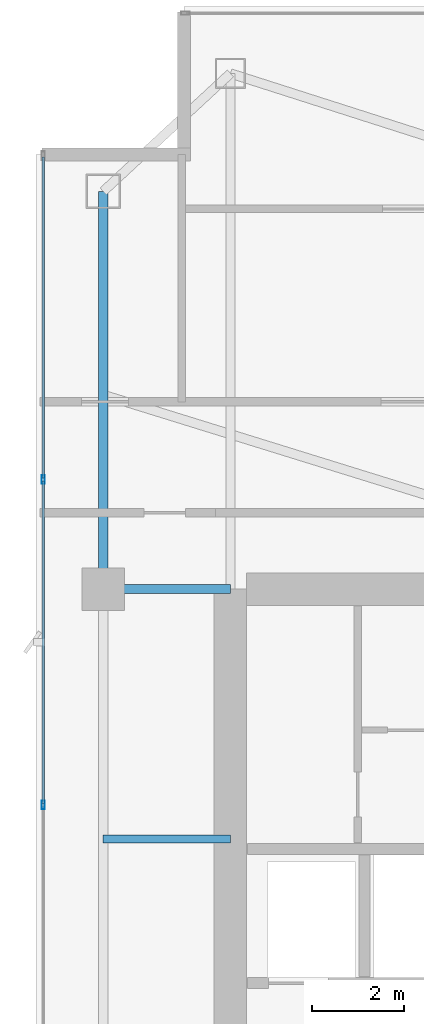
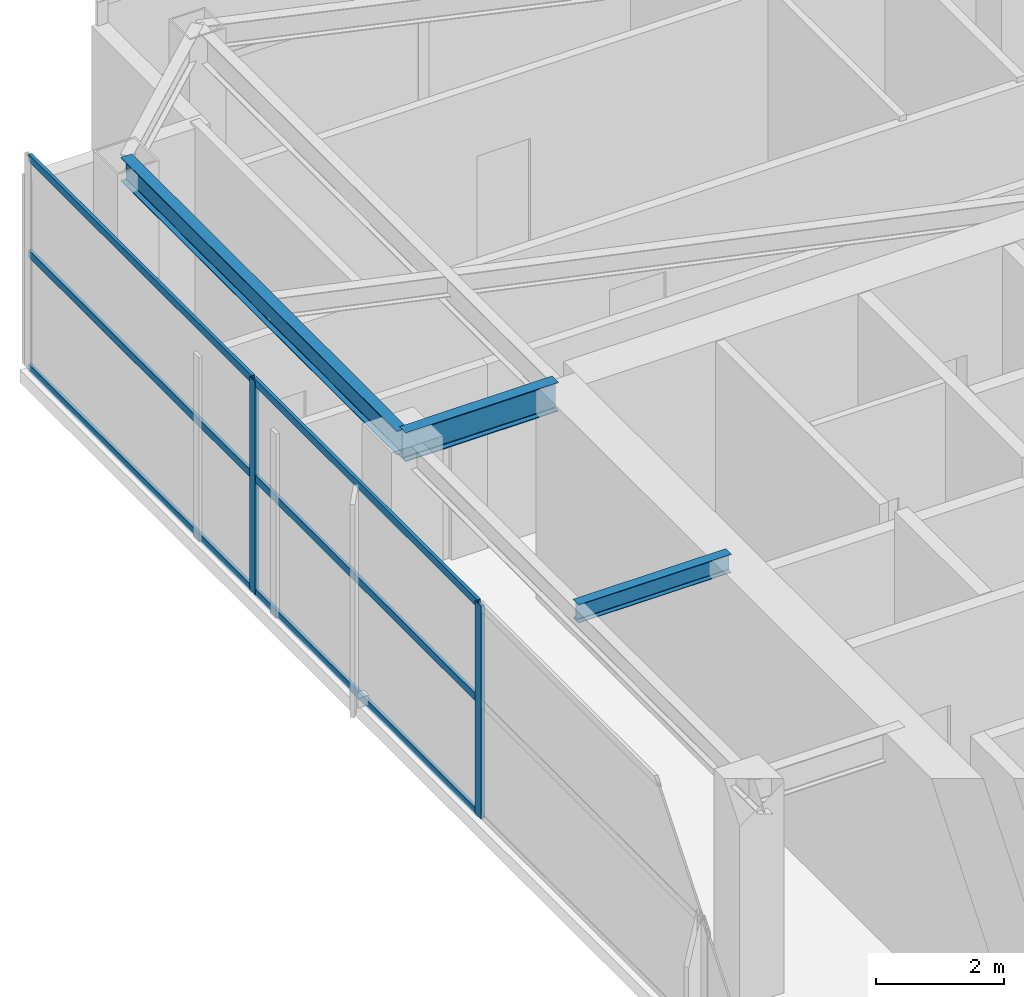
# One storey, part 15 of 27: 8 members, 3 beams, 1 element without a shape of its own.
"""IFC4 building model written with IfcOpenShell, lengths in metres."""

import ifcopenshell
import ifcopenshell.guid

model = None  # the IFC model being written
_history = None  # IfcOwnerHistory: only IFC2X3 demands one
_inside = {}  # id of a spatial element -> (the spatial element, [elements in it])
_under = {}  # id of a project, library or spatial element -> (it, [spatial elements below it])
_declared = {}  # id of a project -> (the project, [libraries it declares])
_typed = {}  # id of a type object -> (the type object, [elements of that type])
_made_of = {}  # id of a material, layer set ... -> (it, [elements and type objects made of it])


def new_model(schema):
    """Start an empty IFC model of exactly this schema.

    Asked for "IFC4X3", IfcOpenShell would pick the latest addendum, in which some entities
    have other attributes; the version numbers below select the first issue.
    IFC2X3 requires an IfcOwnerHistory on every rooted entity: one is made here for all.
    """
    global model, _history
    if schema == "IFC4X3":
        model = ifcopenshell.file(schema_version=(4, 3, 0, 0))
    else:
        model = ifcopenshell.file(schema=schema)
    _inside.clear()
    _under.clear()
    _declared.clear()
    _typed.clear()
    _made_of.clear()
    _history = None
    if model.schema == "IFC2X3":
        org = make("IfcOrganization", Name="unknown")
        user = make(
            "IfcPersonAndOrganization",
            ThePerson=make("IfcPerson", FamilyName="unknown"),
            TheOrganization=org,
        )
        app = make(
            "IfcApplication",
            ApplicationDeveloper=org,
            Version="unknown",
            ApplicationFullName="unknown",
            ApplicationIdentifier="unknown",
        )
        _history = make(
            "IfcOwnerHistory",
            OwningUser=user,
            OwningApplication=app,
            ChangeAction="ADDED",
            CreationDate=0,
        )
    return model


def make(cls, **values):
    """One entity of the class cls with the attributes given. An attribute that is None is left unset."""
    return model.create_entity(
        cls, **{name: value for name, value in values.items() if value is not None}
    )


def rooted(cls, **values):
    """An entity with a GlobalId (a new one), such as an element, a storey or a relation."""
    return make(cls, GlobalId=ifcopenshell.guid.new(), OwnerHistory=_history, **values)


def si_unit(unit_type, name, prefix=None):
    """IfcSIUnit, for example si_unit("LENGTHUNIT", "METRE", prefix="MILLI")."""
    return make("IfcSIUnit", UnitType=unit_type, Prefix=prefix, Name=name)


def assignment(units):
    """IfcUnitAssignment: the units of a project."""
    return None if units is None else make("IfcUnitAssignment", Units=units)


def point(xyz):
    """IfcCartesianPoint."""
    return None if xyz is None else make("IfcCartesianPoint", Coordinates=xyz)


def direction(xyz):
    """IfcDirection."""
    return None if xyz is None else make("IfcDirection", DirectionRatios=xyz)


def frame(location, z_axis=None, x_axis=None):
    """IfcAxis2Placement3D, a coordinate frame: its origin and axes. An axis left out is left unset."""
    return make(
        "IfcAxis2Placement3D",
        Location=point(location),
        Axis=direction(z_axis),
        RefDirection=direction(x_axis),
    )


def frame_2d(location, x_axis=None):
    """IfcAxis2Placement2D, a coordinate frame in the plane: its origin and x axis."""
    return make(
        "IfcAxis2Placement2D", Location=point(location), RefDirection=direction(x_axis)
    )


def origin():
    """The frame at (0, 0, 0) with its axes left unset."""
    return frame((0.0, 0.0, 0.0))


def origin_2d():
    """The frame at (0, 0) in the plane with its x axis left unset."""
    return frame_2d((0.0, 0.0))


def place(relative_to, where):
    """IfcLocalPlacement: puts the frame where relative to a parent placement (None: the world)."""
    return make(
        "IfcLocalPlacement", PlacementRelTo=relative_to, RelativePlacement=where
    )


def context(
    kind, dimensions, precision=None, world=None, true_north=None, identifier=None
):
    """IfcGeometricRepresentationContext, for example the 3D "Model" context."""
    return make(
        "IfcGeometricRepresentationContext",
        ContextIdentifier=identifier,
        ContextType=kind,
        CoordinateSpaceDimension=dimensions,
        Precision=precision,
        WorldCoordinateSystem=world,
        TrueNorth=true_north,
    )


def subcontext(parent, identifier, kind, view, scale=None):
    """IfcGeometricRepresentationSubContext, for example "Body" below "Model"."""
    return make(
        "IfcGeometricRepresentationSubContext",
        ContextIdentifier=identifier,
        ContextType=kind,
        ParentContext=parent,
        TargetScale=scale,
        TargetView=view,
    )


def project(units=None, contexts=None):
    """IfcProject with its units and contexts."""
    return rooted(
        "IfcProject",
        Name="project",
        RepresentationContexts=contexts,
        UnitsInContext=assignment(units),
    )


def spatial(cls, under=None, at=None, **own):
    """A site, building, storey or space (cls), placed at a placement, below another one or the project."""
    s = rooted(cls, ObjectPlacement=at, **own)
    if under is not None:
        _under.setdefault(under.id(), (under, []))[1].append(s)
    return s


def profile(cls, at=None, kind="AREA", **sizes):
    """A parametric profile (cls). Its sizes go by their IFC names, for example OverallWidth=200.0."""
    return make(cls, ProfileType=kind, Position=at, **sizes)


def hollow_rectangle(**sizes):
    """IfcRectangleHollowProfileDef."""
    return profile("IfcRectangleHollowProfileDef", **sizes)


def i_section(**sizes):
    """IfcIShapeProfileDef."""
    return profile("IfcIShapeProfileDef", **sizes)


def extrude(swept, where, along, depth):
    """IfcExtrudedAreaSolid: the profile swept, set in the frame where, extruded along a direction by depth."""
    return make(
        "IfcExtrudedAreaSolid",
        SweptArea=swept,
        Position=where,
        ExtrudedDirection=direction(along),
        Depth=depth,
    )


def shape(context_of_items, identifier, shape_type, items):
    """IfcShapeRepresentation: the items that make up one representation, for example the "Body"."""
    return make(
        "IfcShapeRepresentation",
        ContextOfItems=context_of_items,
        RepresentationIdentifier=identifier,
        RepresentationType=shape_type,
        Items=items,
    )


def material(Name=None, Category=None):
    """IfcMaterial."""
    return make("IfcMaterial", Name=Name, Category=Category)


def layer(
    of_material, thickness, ventilated=None, Name=None, Category=None, Priority=None
):
    """IfcMaterialLayer: one layer of a wall or slab, of a material (None: an air gap)."""
    return make(
        "IfcMaterialLayer",
        Material=of_material,
        LayerThickness=thickness,
        IsVentilated=ventilated,
        Name=Name,
        Category=Category,
        Priority=Priority,
    )


def layer_set(layers, Name=None):
    """IfcMaterialLayerSet."""
    return make("IfcMaterialLayerSet", MaterialLayers=layers, LayerSetName=Name)


def material_profile(
    of_material, cross_section, Name=None, Category=None, Priority=None
):
    """IfcMaterialProfile: a cross section and its material."""
    return make(
        "IfcMaterialProfile",
        Name=Name,
        Material=of_material,
        Profile=cross_section,
        Priority=Priority,
        Category=Category,
    )


def profile_set(profiles, Name=None, composite=None):
    """IfcMaterialProfileSet."""
    return make(
        "IfcMaterialProfileSet",
        Name=Name,
        MaterialProfiles=profiles,
        CompositeProfile=composite,
    )


def made_of(thing, what):
    """Note that an element or type object is made of a material, layer set ...; save() writes the relation."""
    if what is not None:
        _made_of.setdefault(what.id(), (what, []))[1].append(thing)
    return thing


def type_object(cls, material=None, **own):
    """A type object (cls), such as IfcWallType, which elements share."""
    return made_of(rooted(cls, **own), material)


def element(
    cls,
    number,
    at=None,
    inside=None,
    cuts=None,
    type_object=None,
    material=None,
    context=None,
    identifier="Body",
    shape_type=None,
    held_by="IfcProductDefinitionShape",
    body=None,
    shapes=None,
    **own,
):
    """One element of the class cls, such as IfcWall. Its Tag is "e" and its number.

    at: its placement. inside: the storey or other place that contains it. cuts: it is an
    opening in that element (IfcRelVoidsElement). A single representation is given by context,
    identifier, shape_type and body (its items); several are given by shapes. held_by: the class
    of the entity that holds the representations. save() writes the other relations.
    """
    e = rooted(cls, Tag="e%d" % number, ObjectPlacement=at, **own)
    if body is not None:
        shapes = [shape(context, identifier, shape_type, body)]
    if shapes is not None:
        e.Representation = make(held_by, Representations=shapes)
    if inside is not None:
        _inside.setdefault(inside.id(), (inside, []))[1].append(e)
    if cuts is not None:
        rooted(
            "IfcRelVoidsElement", RelatingBuildingElement=cuts, RelatedOpeningElement=e
        )
    if type_object is not None:
        _typed.setdefault(type_object.id(), (type_object, []))[1].append(e)
    return made_of(e, material)


def aggregate(whole, parts):
    """IfcRelAggregates: a whole, such as a stair, and the parts it consists of."""
    return rooted("IfcRelAggregates", RelatingObject=whole, RelatedObjects=parts)


def save(model, path):
    """Write the relations noted so far, then the file.

    IfcRelAggregates (storeys below a building ...), IfcRelContainedInSpatialStructure (elements
    in a storey), IfcRelDefinesByType, IfcRelAssociatesMaterial and IfcRelDeclares: one each for
    every whole, place, type object, material and project.
    """
    for whole, parts in _under.values():
        aggregate(whole, parts)
    for where, things in _inside.values():
        rooted(
            "IfcRelContainedInSpatialStructure",
            RelatedElements=things,
            RelatingStructure=where,
        )
    for kind, things in _typed.values():
        rooted("IfcRelDefinesByType", RelatedObjects=things, RelatingType=kind)
    for what, things in _made_of.values():
        rooted("IfcRelAssociatesMaterial", RelatedObjects=things, RelatingMaterial=what)
    for by, libraries in _declared.values():
        rooted("IfcRelDeclares", RelatingContext=by, RelatedDefinitions=libraries)
    model.write(path)


model = new_model("IFC4")

# Units and contexts
model_context = context("Model", 3, precision=1e-05, world=origin(), true_north=direction((0.0, 1.0)))
body_context = subcontext(model_context, "Body", "Model", "MODEL_VIEW")
ifc_project = project(units=[si_unit("LENGTHUNIT", "METRE"), si_unit("AREAUNIT", "SQUARE_METRE"), si_unit("VOLUMEUNIT", "CUBIC_METRE"), si_unit("PLANEANGLEUNIT", "RADIAN"), si_unit("MASSUNIT", "GRAM", prefix="KILO")], contexts=[model_context])

# Site, building, storey
site_placement = place(None, origin())
site = spatial("IfcSite", under=ifc_project, at=site_placement, CompositionType="ELEMENT")
building_placement = place(site_placement, origin())
building = spatial("IfcBuilding", under=site, at=building_placement, Name="Calvorn Quay Hotel", CompositionType="ELEMENT")
storey_placement = place(building_placement, frame((0.0, 0.0, 239.300048828125)))
storey = spatial("IfcBuildingStorey", under=building, at=storey_placement, Name="L59", CompositionType="ELEMENT", Elevation=239.300048828125)

# Beams
ifc_material_1 = material(Name="Steel Q355B", Category="steel")
ifc_material_profile_1 = material_profile(ifc_material_1, i_section(OverallWidth=0.199951171875, OverallDepth=0.550048828125, WebThickness=0.010009765625, FlangeThickness=0.01611328125, FilletRadius=0.01806640625, at=origin_2d()), Name="HN550x200x10x16")
ifc_profile_set_1 = profile_set([ifc_material_profile_1], Name="Steel Q355B")
beam_type_1 = type_object("IfcBeamType", Name="BM-GIRD-UPP", PredefinedType="BEAM", material=ifc_profile_set_1)
beam_1_placement = place(storey_placement, frame((1.449951171875, 38.39990234375, 3.77490234375), z_axis=(1.0, 0.0, 0.0), x_axis=(0.0, 1.0, 0.0)))
element("IfcBeam", 1, at=beam_1_placement, inside=storey, type_object=beam_type_1, Name="Beam BG-L59-W3", PredefinedType="BEAM", context=body_context, shape_type="SweptSolid", body=[
    extrude(i_section(OverallWidth=0.199951171875, OverallDepth=0.550048828125, WebThickness=0.010009765625, FlangeThickness=0.01611328125, FilletRadius=0.01806640625, at=origin_2d()), origin(), (0.0, 0.0, 1.0), 2.75),
])
ifc_material_2 = material(Name="Steel Q355B", Category="steel")
ifc_material_profile_2 = material_profile(ifc_material_2, i_section(OverallWidth=0.175048828125, OverallDepth=0.35009765625, WebThickness=0.007080078125, FlangeThickness=0.010986328125, FilletRadius=0.013916015625, at=origin_2d()), Name="HN350x175x7x11")
ifc_profile_set_2 = profile_set([ifc_material_profile_2], Name="Steel Q355B")
beam_type_2 = type_object("IfcBeamType", Name="BM-JOIST-SEC", PredefinedType="JOIST", material=ifc_profile_set_2)
beam_2_placement = place(storey_placement, frame((1.449951171875, 33.0, 3.875), z_axis=(1.0, 0.0, 0.0), x_axis=(0.0, 1.0, 0.0)))
element("IfcBeam", 2, at=beam_2_placement, inside=storey, type_object=beam_type_2, Name="Beam BJ-L59-W4", PredefinedType="JOIST", context=body_context, shape_type="SweptSolid", body=[
    extrude(i_section(OverallWidth=0.175048828125, OverallDepth=0.35009765625, WebThickness=0.007080078125, FlangeThickness=0.010986328125, FilletRadius=0.013916015625, at=origin_2d()), origin(), (0.0, 0.0, 1.0), 2.75),
])
ifc_material_3 = material(Name="Steel Q355B", Category="steel")
ifc_material_profile_3 = material_profile(ifc_material_3, i_section(OverallWidth=0.199951171875, OverallDepth=0.449951171875, WebThickness=0.009033203125, FlangeThickness=0.013916015625, FilletRadius=0.01611328125, at=origin_2d()), Name="HN450x200x9x14")
ifc_profile_set_3 = profile_set([ifc_material_profile_3], Name="Steel Q355B")
beam_type_3 = type_object("IfcBeamType", Name="BM-SPANDREL-Z3", PredefinedType="SPANDREL", material=ifc_profile_set_3)
beam_3_placement = place(storey_placement, frame((1.449951171875, 38.39990234375, 3.824951171875), z_axis=(0.0, 1.0, 0.0), x_axis=(-1.0, 0.0, 0.0)))
element("IfcBeam", 3, at=beam_3_placement, inside=storey, type_object=beam_type_3, Name="Beam BSP-L59-W4", PredefinedType="SPANDREL", context=body_context, shape_type="SweptSolid", body=[
    extrude(i_section(OverallWidth=0.199951171875, OverallDepth=0.449951171875, WebThickness=0.009033203125, FlangeThickness=0.013916015625, FilletRadius=0.01611328125, at=origin_2d()), origin(), (0.0, 0.0, 1.0), 8.60009765625),
])

# Curtain wall, members
ifc_material_4 = material(Name="Champagne Bronze Anodised Aluminium and Low-E Glass", Category="aluminium")
ifc_layer = layer(ifc_material_4, 0.219970703125)
ifc_layer_set = layer_set([ifc_layer], Name="CW-SYS-Z3")
curtain_wall_type = type_object("IfcCurtainWallType", Name="CW-SYS-Z3", PredefinedType="NOTDEFINED", material=ifc_layer_set)
curtain_wall_placement = place(storey_placement, origin())
curtain_wall = element("IfcCurtainWall", 4, at=curtain_wall_placement, inside=storey, type_object=curtain_wall_type, Name="Tower West Curtain Wall (L59)", PredefinedType="NOTDEFINED")
ifc_material_5 = material(Name="Champagne Bronze Anodised Aluminium 6063-T6", Category="aluminium")
ifc_material_profile_4 = material_profile(ifc_material_5, hollow_rectangle(XDim=0.068115234375, YDim=0.18505859375, WallThickness=0.00390625, at=origin_2d()), Name="ALU-M185x68x4")
ifc_profile_set_4 = profile_set([ifc_material_profile_4], Name="Champagne Bronze Anodised Aluminium 6063-T6")
member_type_1 = type_object("IfcMemberType", Name="CW-SYS-Z3-MUL", PredefinedType="MULLION", material=ifc_profile_set_4)
member_1_placement = place(storey_placement, frame((0.14990234375, 33.7333984375, 0.0), z_axis=(0.0, 0.0, 1.0), x_axis=(-1.0, 0.0, 0.0)))
member_1 = element("IfcMember", 5, at=member_1_placement, type_object=member_type_1, Name="CW-L59-W mullion 5", PredefinedType="MULLION", context=body_context, shape_type="SweptSolid", body=[
    extrude(hollow_rectangle(XDim=0.068115234375, YDim=0.18505859375, WallThickness=0.00390625, at=origin_2d()), origin(), (0.0, 0.0, 1.0), 4.050048828125),
])
member_2_placement = place(storey_placement, frame((0.14990234375, 40.7666015625, 0.0), z_axis=(0.0, 0.0, 1.0), x_axis=(-1.0, 0.0, 0.0)))
member_2 = element("IfcMember", 6, at=member_2_placement, type_object=member_type_1, Name="CW-L59-W mullion 6", PredefinedType="MULLION", context=body_context, shape_type="SweptSolid", body=[
    extrude(hollow_rectangle(XDim=0.068115234375, YDim=0.18505859375, WallThickness=0.00390625, at=origin_2d()), origin(), (0.0, 0.0, 1.0), 4.050048828125),
])
ifc_material_6 = material(Name="Champagne Bronze Anodised Aluminium 6063-T6", Category="aluminium")
ifc_material_profile_5 = material_profile(ifc_material_6, hollow_rectangle(XDim=0.05810546875, YDim=0.139892578125, WallThickness=0.003173828125, at=origin_2d()), Name="ALU-T140x58x3.2")
ifc_profile_set_5 = profile_set([ifc_material_profile_5], Name="Champagne Bronze Anodised Aluminium 6063-T6")
member_type_2 = type_object("IfcMemberType", Name="CW-SYS-Z3-TRN", PredefinedType="USERDEFINED", material=ifc_profile_set_5)
member_3_placement = place(storey_placement, frame((0.14990234375, 33.763427734375, 0.030029296875), z_axis=(0.0, 1.0, 0.0), x_axis=(-1.0, 0.0, 0.0)))
member_3 = element("IfcMember", 7, at=member_3_placement, type_object=member_type_2, Name="CW-L59-W transom 5.1", ObjectType="TRANSOM", PredefinedType="USERDEFINED", context=body_context, shape_type="SweptSolid", body=[
    extrude(hollow_rectangle(XDim=0.05810546875, YDim=0.139892578125, WallThickness=0.003173828125, at=origin_2d()), origin(), (0.0, 0.0, 1.0), 6.97314453125),
])
member_4_placement = place(storey_placement, frame((0.14990234375, 33.763427734375, 2.199951171875), z_axis=(0.0, 1.0, 0.0), x_axis=(-1.0, 0.0, 0.0)))
member_4 = element("IfcMember", 8, at=member_4_placement, type_object=member_type_2, Name="CW-L59-W transom 5.2", ObjectType="TRANSOM", PredefinedType="USERDEFINED", context=body_context, shape_type="SweptSolid", body=[
    extrude(hollow_rectangle(XDim=0.05810546875, YDim=0.139892578125, WallThickness=0.003173828125, at=origin_2d()), origin(), (0.0, 0.0, 1.0), 6.97314453125),
])
member_5_placement = place(storey_placement, frame((0.14990234375, 33.763427734375, 4.02001953125), z_axis=(0.0, 1.0, 0.0), x_axis=(-1.0, 0.0, 0.0)))
member_5 = element("IfcMember", 9, at=member_5_placement, type_object=member_type_2, Name="CW-L59-W transom 5.3", ObjectType="TRANSOM", PredefinedType="USERDEFINED", context=body_context, shape_type="SweptSolid", body=[
    extrude(hollow_rectangle(XDim=0.05810546875, YDim=0.139892578125, WallThickness=0.003173828125, at=origin_2d()), origin(), (0.0, 0.0, 1.0), 6.97314453125),
])
member_6_placement = place(storey_placement, frame((0.14990234375, 40.796630859375, 0.030029296875), z_axis=(0.0, 1.0, 0.0), x_axis=(-1.0, 0.0, 0.0)))
member_6 = element("IfcMember", 10, at=member_6_placement, type_object=member_type_2, Name="CW-L59-W transom 6.1", ObjectType="TRANSOM", PredefinedType="USERDEFINED", context=body_context, shape_type="SweptSolid", body=[
    extrude(hollow_rectangle(XDim=0.05810546875, YDim=0.139892578125, WallThickness=0.003173828125, at=origin_2d()), origin(), (0.0, 0.0, 1.0), 6.943359375),
])
member_7_placement = place(storey_placement, frame((0.14990234375, 40.796630859375, 2.199951171875), z_axis=(0.0, 1.0, 0.0), x_axis=(-1.0, 0.0, 0.0)))
member_7 = element("IfcMember", 11, at=member_7_placement, type_object=member_type_2, Name="CW-L59-W transom 6.2", ObjectType="TRANSOM", PredefinedType="USERDEFINED", context=body_context, shape_type="SweptSolid", body=[
    extrude(hollow_rectangle(XDim=0.05810546875, YDim=0.139892578125, WallThickness=0.003173828125, at=origin_2d()), origin(), (0.0, 0.0, 1.0), 6.943359375),
])
member_8_placement = place(storey_placement, frame((0.14990234375, 40.796630859375, 4.02001953125), z_axis=(0.0, 1.0, 0.0), x_axis=(-1.0, 0.0, 0.0)))
member_8 = element("IfcMember", 12, at=member_8_placement, type_object=member_type_2, Name="CW-L59-W transom 6.3", ObjectType="TRANSOM", PredefinedType="USERDEFINED", context=body_context, shape_type="SweptSolid", body=[
    extrude(hollow_rectangle(XDim=0.05810546875, YDim=0.139892578125, WallThickness=0.003173828125, at=origin_2d()), origin(), (0.0, 0.0, 1.0), 6.943359375),
])
aggregate(curtain_wall, [member_1, member_2, member_3, member_4, member_5, member_6, member_7, member_8])

save(model, "model.ifc")
